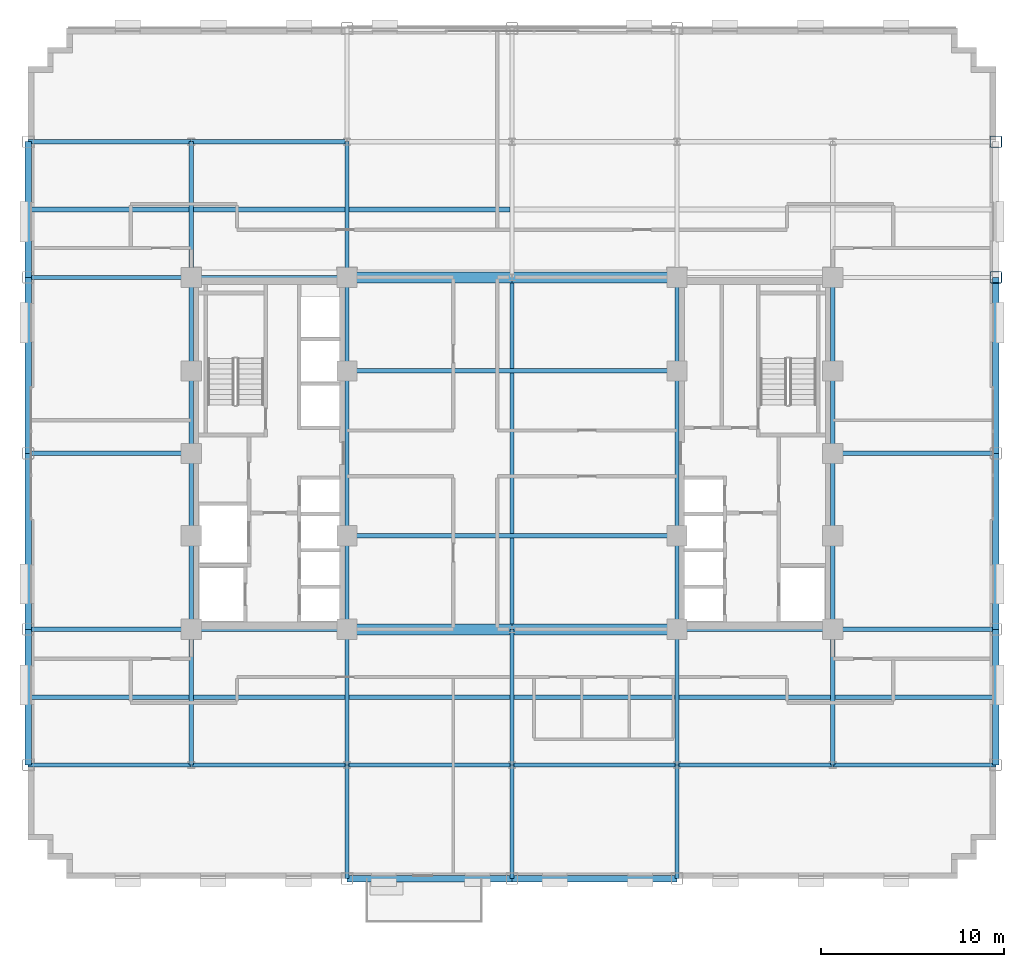
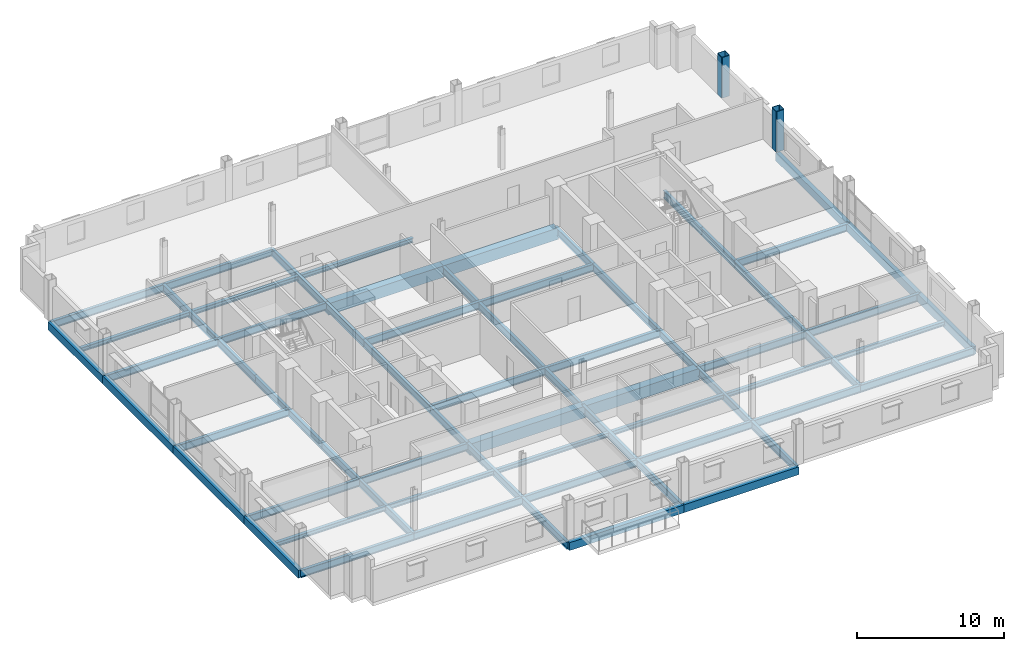
# One storey, part 4 of 17: 65 beams, 2 columns.
"""IFC4 building model written with IfcOpenShell, lengths in metres."""

from ifc_helpers import new_model, si_unit, direction, frame, origin, origin_2d, place, context, subcontext, project, spatial, rectangle, hollow_rectangle, i_section, extrude, material, material_profile, profile_set, type_object, element, save


model = new_model("IFC4")

# Units and contexts
model_context = context("Model", 3, precision=1e-05, world=origin(), true_north=direction((0.0, 1.0)))
body_context = subcontext(model_context, "Body", "Model", "MODEL_VIEW")
ifc_project = project(units=[si_unit("LENGTHUNIT", "METRE"), si_unit("AREAUNIT", "SQUARE_METRE"), si_unit("VOLUMEUNIT", "CUBIC_METRE"), si_unit("PLANEANGLEUNIT", "RADIAN"), si_unit("MASSUNIT", "GRAM", prefix="KILO")], contexts=[model_context])

# Site, building, storey
site_placement = place(None, origin())
site = spatial("IfcSite", under=ifc_project, at=site_placement, CompositionType="ELEMENT")
building_placement = place(site_placement, origin())
building = spatial("IfcBuilding", under=site, at=building_placement, Name="Nuvemarco Arch Tower", CompositionType="ELEMENT")
storey_placement = place(building_placement, frame((0.0, 0.0, 120.199951171875)))
storey = spatial("IfcBuildingStorey", under=building, at=storey_placement, Name="L31", CompositionType="ELEMENT", Elevation=120.199951171875)

# Columns
ifc_material_1 = material(Name="Steel S355", Category="steel")
ifc_material_profile_1 = material_profile(ifc_material_1, hollow_rectangle(XDim=0.64990234375, YDim=0.64990234375, WallThickness=0.0400390625, InnerFilletRadius=0.0400390625, OuterFilletRadius=0.080078125, at=origin_2d()), Name="SHS650x650x40")
ifc_profile_set_1 = profile_set([ifc_material_profile_1], Name="Steel S355")
column_type = type_object("IfcColumnType", Name="COL-EXO-650", PredefinedType="COLUMN", material=ifc_profile_set_1)
for number, where, z_axis, x_axis, name in (
    (1, (26.39990234375, 9.60009765625, 0.0), (0.0, 0.0, 1.0), (1.0, 0.0, 0.0), "L31 column CX_+26.4_+9.6"),
    (2, (26.39990234375, 17.0, 0.0), (0.0, 0.0, 1.0), (1.0, 0.0, 0.0), "L31 column CX_+26.4_+17.0"),
):
    element("IfcColumn", number, at=place(storey_placement, frame(where, z_axis=z_axis, x_axis=x_axis)), inside=storey, type_object=column_type, Name=name, PredefinedType="COLUMN", context=body_context, shape_type="SweptSolid", body=[
        extrude(hollow_rectangle(XDim=0.64990234375, YDim=0.64990234375, WallThickness=0.0400390625, InnerFilletRadius=0.0400390625, OuterFilletRadius=0.080078125, at=origin_2d()), origin(), (0.0, 0.0, 1.0), 3.3701171875),
    ])

# Beams
ifc_material_2 = material(Name="Concrete C60/75", Category="concrete")
ifc_material_profile_2 = material_profile(ifc_material_2, rectangle(XDim=0.60009765625, YDim=0.949951171875, at=origin_2d()), Name="RC-BM-600x950")
ifc_profile_set_2 = profile_set([ifc_material_profile_2], Name="Concrete C60/75")
beam_type_1 = type_object("IfcBeamType", Name="BM-COUP-RC", PredefinedType="LINTEL", material=ifc_profile_set_2)
for number, where, z_axis, x_axis, name in (
    (3, (-9.0, -9.60009765625, -0.7548828125), (1.0, 0.0, 0.0), (0.0, 1.0, 0.0), "L31 structural beam BGEW_L31_0_-9.6_-9.0"),
    (4, (0.0, -9.60009765625, -0.7548828125), (1.0, 0.0, 0.0), (0.0, 1.0, 0.0), "L31 structural beam BGEW_L31_0_-9.6_+0.0"),
    (5, (-9.0, 9.60009765625, -0.7548828125), (1.0, 0.0, 0.0), (0.0, 1.0, 0.0), "L31 structural beam BGEW_L31_0_+9.6_-9.0"),
    (6, (0.0, 9.60009765625, -0.7548828125), (1.0, 0.0, 0.0), (0.0, 1.0, 0.0), "L31 structural beam BGEW_L31_0_+9.6_+0.0"),
):
    element("IfcBeam", number, at=place(storey_placement, frame(where, z_axis=z_axis, x_axis=x_axis)), inside=storey, type_object=beam_type_1, Name=name, PredefinedType="LINTEL", context=body_context, shape_type="SweptSolid", body=[
        extrude(rectangle(XDim=0.60009765625, YDim=0.949951171875, at=origin_2d()), origin(), (0.0, 0.0, 1.0), 9.0),
    ])
ifc_material_profile_3 = material_profile(ifc_material_1, i_section(OverallWidth=0.22998046875, OverallDepth=0.616943359375, WebThickness=0.01318359375, FlangeThickness=0.022216796875, FilletRadius=0.01611328125, at=origin_2d()), Name="W610x140")
ifc_profile_set_3 = profile_set([ifc_material_profile_3], Name="Steel S355")
beam_type_2 = type_object("IfcBeamType", Name="BM-GIRD-610", PredefinedType="BEAM", material=ifc_profile_set_3)
beam_1_placement = place(storey_placement, frame((-17.5, -17.0, -0.58837890625), z_axis=(0.0, 1.0, 0.0), x_axis=(-1.0, 0.0, 0.0)))
element("IfcBeam", 7, at=beam_1_placement, inside=storey, type_object=beam_type_2, Name="L31 structural beam BGNS_L31_0_-17.5_-17.0", PredefinedType="BEAM", context=body_context, shape_type="SweptSolid", body=[
    extrude(i_section(OverallWidth=0.22998046875, OverallDepth=0.616943359375, WebThickness=0.01318359375, FlangeThickness=0.022216796875, FilletRadius=0.01611328125, at=origin_2d()), origin(), (0.0, 0.0, 1.0), 7.39990234375),
])
beam_2_placement = place(storey_placement, frame((-17.5, -9.60009765625, -0.58837890625), z_axis=(0.0, 1.0, 0.0), x_axis=(-1.0, 0.0, 0.0)))
element("IfcBeam", 8, at=beam_2_placement, inside=storey, type_object=beam_type_2, Name="L31 structural beam BGNS_L31_0_-17.5_-9.6", PredefinedType="BEAM", context=body_context, shape_type="SweptSolid", body=[
    extrude(i_section(OverallWidth=0.22998046875, OverallDepth=0.616943359375, WebThickness=0.01318359375, FlangeThickness=0.022216796875, FilletRadius=0.01611328125, at=origin_2d()), origin(), (0.0, 0.0, 1.0), 5.10009765625),
])
for number, where, z_axis, x_axis, name in (
    (9, (-17.5, -4.5, -0.58837890625), (0.0, 1.0, 0.0), (-1.0, 0.0, 0.0), "L31 structural beam BGNS_L31_0_-17.5_-4.5"),
    (10, (-17.5, 0.0, -0.58837890625), (0.0, 1.0, 0.0), (-1.0, 0.0, 0.0), "L31 structural beam BGNS_L31_0_-17.5_+0.0"),
):
    element("IfcBeam", number, at=place(storey_placement, frame(where, z_axis=z_axis, x_axis=x_axis)), inside=storey, type_object=beam_type_2, Name=name, PredefinedType="BEAM", context=body_context, shape_type="SweptSolid", body=[
        extrude(i_section(OverallWidth=0.22998046875, OverallDepth=0.616943359375, WebThickness=0.01318359375, FlangeThickness=0.022216796875, FilletRadius=0.01611328125, at=origin_2d()), origin(), (0.0, 0.0, 1.0), 4.5),
    ])
beam_3_placement = place(storey_placement, frame((-17.5, 4.5, -0.58837890625), z_axis=(0.0, 1.0, 0.0), x_axis=(-1.0, 0.0, 0.0)))
element("IfcBeam", 11, at=beam_3_placement, inside=storey, type_object=beam_type_2, Name="L31 structural beam BGNS_L31_0_-17.5_+4.5", PredefinedType="BEAM", context=body_context, shape_type="SweptSolid", body=[
    extrude(i_section(OverallWidth=0.22998046875, OverallDepth=0.616943359375, WebThickness=0.01318359375, FlangeThickness=0.022216796875, FilletRadius=0.01611328125, at=origin_2d()), origin(), (0.0, 0.0, 1.0), 5.10009765625),
])
beam_4_placement = place(storey_placement, frame((-17.5, 9.60009765625, -0.58837890625), z_axis=(0.0, 1.0, 0.0), x_axis=(-1.0, 0.0, 0.0)))
element("IfcBeam", 12, at=beam_4_placement, inside=storey, type_object=beam_type_2, Name="L31 structural beam BGNS_L31_0_-17.5_+9.6", PredefinedType="BEAM", context=body_context, shape_type="SweptSolid", body=[
    extrude(i_section(OverallWidth=0.22998046875, OverallDepth=0.616943359375, WebThickness=0.01318359375, FlangeThickness=0.022216796875, FilletRadius=0.01611328125, at=origin_2d()), origin(), (0.0, 0.0, 1.0), 7.39990234375),
])
beam_5_placement = place(storey_placement, frame((-9.0, -23.199951171875, -0.58837890625), z_axis=(0.0, 1.0, 0.0), x_axis=(-1.0, 0.0, 0.0)))
element("IfcBeam", 13, at=beam_5_placement, inside=storey, type_object=beam_type_2, Name="L31 structural beam BGNS_L31_0_-9.0_-23.2", PredefinedType="BEAM", context=body_context, shape_type="SweptSolid", body=[
    extrude(i_section(OverallWidth=0.22998046875, OverallDepth=0.616943359375, WebThickness=0.01318359375, FlangeThickness=0.022216796875, FilletRadius=0.01611328125, at=origin_2d()), origin(), (0.0, 0.0, 1.0), 6.199951171875),
])
beam_6_placement = place(storey_placement, frame((-9.0, -17.0, -0.58837890625), z_axis=(0.0, 1.0, 0.0), x_axis=(-1.0, 0.0, 0.0)))
element("IfcBeam", 14, at=beam_6_placement, inside=storey, type_object=beam_type_2, Name="L31 structural beam BGNS_L31_0_-9.0_-17.0", PredefinedType="BEAM", context=body_context, shape_type="SweptSolid", body=[
    extrude(i_section(OverallWidth=0.22998046875, OverallDepth=0.616943359375, WebThickness=0.01318359375, FlangeThickness=0.022216796875, FilletRadius=0.01611328125, at=origin_2d()), origin(), (0.0, 0.0, 1.0), 7.39990234375),
])
beam_7_placement = place(storey_placement, frame((-9.0, -9.60009765625, -0.58837890625), z_axis=(0.0, 1.0, 0.0), x_axis=(-1.0, 0.0, 0.0)))
element("IfcBeam", 15, at=beam_7_placement, inside=storey, type_object=beam_type_2, Name="L31 structural beam BGNS_L31_0_-9.0_-9.6", PredefinedType="BEAM", context=body_context, shape_type="SweptSolid", body=[
    extrude(i_section(OverallWidth=0.22998046875, OverallDepth=0.616943359375, WebThickness=0.01318359375, FlangeThickness=0.022216796875, FilletRadius=0.01611328125, at=origin_2d()), origin(), (0.0, 0.0, 1.0), 5.10009765625),
])
beam_8_placement = place(storey_placement, frame((-9.0, -4.5, -0.58837890625), z_axis=(0.0, 1.0, 0.0), x_axis=(-1.0, 0.0, 0.0)))
element("IfcBeam", 16, at=beam_8_placement, inside=storey, type_object=beam_type_2, Name="L31 structural beam BGNS_L31_0_-9.0_-4.5", PredefinedType="BEAM", context=body_context, shape_type="SweptSolid", body=[
    extrude(i_section(OverallWidth=0.22998046875, OverallDepth=0.616943359375, WebThickness=0.01318359375, FlangeThickness=0.022216796875, FilletRadius=0.01611328125, at=origin_2d()), origin(), (0.0, 0.0, 1.0), 9.0),
])
beam_9_placement = place(storey_placement, frame((-9.0, 4.5, -0.58837890625), z_axis=(0.0, 1.0, 0.0), x_axis=(-1.0, 0.0, 0.0)))
element("IfcBeam", 17, at=beam_9_placement, inside=storey, type_object=beam_type_2, Name="L31 structural beam BGNS_L31_0_-9.0_+4.5", PredefinedType="BEAM", context=body_context, shape_type="SweptSolid", body=[
    extrude(i_section(OverallWidth=0.22998046875, OverallDepth=0.616943359375, WebThickness=0.01318359375, FlangeThickness=0.022216796875, FilletRadius=0.01611328125, at=origin_2d()), origin(), (0.0, 0.0, 1.0), 5.10009765625),
])
beam_10_placement = place(storey_placement, frame((-9.0, 9.60009765625, -0.58837890625), z_axis=(0.0, 1.0, 0.0), x_axis=(-1.0, 0.0, 0.0)))
element("IfcBeam", 18, at=beam_10_placement, inside=storey, type_object=beam_type_2, Name="L31 structural beam BGNS_L31_0_-9.0_+9.6", PredefinedType="BEAM", context=body_context, shape_type="SweptSolid", body=[
    extrude(i_section(OverallWidth=0.22998046875, OverallDepth=0.616943359375, WebThickness=0.01318359375, FlangeThickness=0.022216796875, FilletRadius=0.01611328125, at=origin_2d()), origin(), (0.0, 0.0, 1.0), 7.39990234375),
])
beam_11_placement = place(storey_placement, frame((0.0, -23.199951171875, -0.58837890625), z_axis=(0.0, 1.0, 0.0), x_axis=(-1.0, 0.0, 0.0)))
element("IfcBeam", 19, at=beam_11_placement, inside=storey, type_object=beam_type_2, Name="L31 structural beam BGNS_L31_0_+0.0_-23.2", PredefinedType="BEAM", context=body_context, shape_type="SweptSolid", body=[
    extrude(i_section(OverallWidth=0.22998046875, OverallDepth=0.616943359375, WebThickness=0.01318359375, FlangeThickness=0.022216796875, FilletRadius=0.01611328125, at=origin_2d()), origin(), (0.0, 0.0, 1.0), 6.199951171875),
])
beam_12_placement = place(storey_placement, frame((0.0, -17.0, -0.58837890625), z_axis=(0.0, 1.0, 0.0), x_axis=(-1.0, 0.0, 0.0)))
element("IfcBeam", 20, at=beam_12_placement, inside=storey, type_object=beam_type_2, Name="L31 structural beam BGNS_L31_0_+0.0_-17.0", PredefinedType="BEAM", context=body_context, shape_type="SweptSolid", body=[
    extrude(i_section(OverallWidth=0.22998046875, OverallDepth=0.616943359375, WebThickness=0.01318359375, FlangeThickness=0.022216796875, FilletRadius=0.01611328125, at=origin_2d()), origin(), (0.0, 0.0, 1.0), 7.39990234375),
])
beam_13_placement = place(storey_placement, frame((0.0, -9.60009765625, -0.58837890625), z_axis=(0.0, 1.0, 0.0), x_axis=(-1.0, 0.0, 0.0)))
element("IfcBeam", 21, at=beam_13_placement, inside=storey, type_object=beam_type_2, Name="L31 structural beam BGNS_L31_0_+0.0_-9.6", PredefinedType="BEAM", context=body_context, shape_type="SweptSolid", body=[
    extrude(i_section(OverallWidth=0.22998046875, OverallDepth=0.616943359375, WebThickness=0.01318359375, FlangeThickness=0.022216796875, FilletRadius=0.01611328125, at=origin_2d()), origin(), (0.0, 0.0, 1.0), 19.2001953125),
])
beam_14_placement = place(storey_placement, frame((9.0, -23.199951171875, -0.58837890625), z_axis=(0.0, 1.0, 0.0), x_axis=(-1.0, 0.0, 0.0)))
element("IfcBeam", 22, at=beam_14_placement, inside=storey, type_object=beam_type_2, Name="L31 structural beam BGNS_L31_0_+9.0_-23.2", PredefinedType="BEAM", context=body_context, shape_type="SweptSolid", body=[
    extrude(i_section(OverallWidth=0.22998046875, OverallDepth=0.616943359375, WebThickness=0.01318359375, FlangeThickness=0.022216796875, FilletRadius=0.01611328125, at=origin_2d()), origin(), (0.0, 0.0, 1.0), 6.199951171875),
])
beam_15_placement = place(storey_placement, frame((9.0, -17.0, -0.58837890625), z_axis=(0.0, 1.0, 0.0), x_axis=(-1.0, 0.0, 0.0)))
element("IfcBeam", 23, at=beam_15_placement, inside=storey, type_object=beam_type_2, Name="L31 structural beam BGNS_L31_0_+9.0_-17.0", PredefinedType="BEAM", context=body_context, shape_type="SweptSolid", body=[
    extrude(i_section(OverallWidth=0.22998046875, OverallDepth=0.616943359375, WebThickness=0.01318359375, FlangeThickness=0.022216796875, FilletRadius=0.01611328125, at=origin_2d()), origin(), (0.0, 0.0, 1.0), 7.39990234375),
])
beam_16_placement = place(storey_placement, frame((9.0, -9.60009765625, -0.58837890625), z_axis=(0.0, 1.0, 0.0), x_axis=(-1.0, 0.0, 0.0)))
element("IfcBeam", 24, at=beam_16_placement, inside=storey, type_object=beam_type_2, Name="L31 structural beam BGNS_L31_0_+9.0_-9.6", PredefinedType="BEAM", context=body_context, shape_type="SweptSolid", body=[
    extrude(i_section(OverallWidth=0.22998046875, OverallDepth=0.616943359375, WebThickness=0.01318359375, FlangeThickness=0.022216796875, FilletRadius=0.01611328125, at=origin_2d()), origin(), (0.0, 0.0, 1.0), 5.10009765625),
])
beam_17_placement = place(storey_placement, frame((9.0, -4.5, -0.58837890625), z_axis=(0.0, 1.0, 0.0), x_axis=(-1.0, 0.0, 0.0)))
element("IfcBeam", 25, at=beam_17_placement, inside=storey, type_object=beam_type_2, Name="L31 structural beam BGNS_L31_0_+9.0_-4.5", PredefinedType="BEAM", context=body_context, shape_type="SweptSolid", body=[
    extrude(i_section(OverallWidth=0.22998046875, OverallDepth=0.616943359375, WebThickness=0.01318359375, FlangeThickness=0.022216796875, FilletRadius=0.01611328125, at=origin_2d()), origin(), (0.0, 0.0, 1.0), 9.0),
])
beam_18_placement = place(storey_placement, frame((9.0, 4.5, -0.58837890625), z_axis=(0.0, 1.0, 0.0), x_axis=(-1.0, 0.0, 0.0)))
element("IfcBeam", 26, at=beam_18_placement, inside=storey, type_object=beam_type_2, Name="L31 structural beam BGNS_L31_0_+9.0_+4.5", PredefinedType="BEAM", context=body_context, shape_type="SweptSolid", body=[
    extrude(i_section(OverallWidth=0.22998046875, OverallDepth=0.616943359375, WebThickness=0.01318359375, FlangeThickness=0.022216796875, FilletRadius=0.01611328125, at=origin_2d()), origin(), (0.0, 0.0, 1.0), 5.10009765625),
])
beam_19_placement = place(storey_placement, frame((17.5, -17.0, -0.58837890625), z_axis=(0.0, 1.0, 0.0), x_axis=(-1.0, 0.0, 0.0)))
element("IfcBeam", 27, at=beam_19_placement, inside=storey, type_object=beam_type_2, Name="L31 structural beam BGNS_L31_0_+17.5_-17.0", PredefinedType="BEAM", context=body_context, shape_type="SweptSolid", body=[
    extrude(i_section(OverallWidth=0.22998046875, OverallDepth=0.616943359375, WebThickness=0.01318359375, FlangeThickness=0.022216796875, FilletRadius=0.01611328125, at=origin_2d()), origin(), (0.0, 0.0, 1.0), 7.39990234375),
])
beam_20_placement = place(storey_placement, frame((17.5, -9.60009765625, -0.58837890625), z_axis=(0.0, 1.0, 0.0), x_axis=(-1.0, 0.0, 0.0)))
element("IfcBeam", 28, at=beam_20_placement, inside=storey, type_object=beam_type_2, Name="L31 structural beam BGNS_L31_0_+17.5_-9.6", PredefinedType="BEAM", context=body_context, shape_type="SweptSolid", body=[
    extrude(i_section(OverallWidth=0.22998046875, OverallDepth=0.616943359375, WebThickness=0.01318359375, FlangeThickness=0.022216796875, FilletRadius=0.01611328125, at=origin_2d()), origin(), (0.0, 0.0, 1.0), 5.10009765625),
])
for number, where, z_axis, x_axis, name in (
    (29, (17.5, -4.5, -0.58837890625), (0.0, 1.0, 0.0), (-1.0, 0.0, 0.0), "L31 structural beam BGNS_L31_0_+17.5_-4.5"),
    (30, (17.5, 0.0, -0.58837890625), (0.0, 1.0, 0.0), (-1.0, 0.0, 0.0), "L31 structural beam BGNS_L31_0_+17.5_+0.0"),
):
    element("IfcBeam", number, at=place(storey_placement, frame(where, z_axis=z_axis, x_axis=x_axis)), inside=storey, type_object=beam_type_2, Name=name, PredefinedType="BEAM", context=body_context, shape_type="SweptSolid", body=[
        extrude(i_section(OverallWidth=0.22998046875, OverallDepth=0.616943359375, WebThickness=0.01318359375, FlangeThickness=0.022216796875, FilletRadius=0.01611328125, at=origin_2d()), origin(), (0.0, 0.0, 1.0), 4.5),
    ])
beam_21_placement = place(storey_placement, frame((17.5, 4.5, -0.58837890625), z_axis=(0.0, 1.0, 0.0), x_axis=(-1.0, 0.0, 0.0)))
element("IfcBeam", 31, at=beam_21_placement, inside=storey, type_object=beam_type_2, Name="L31 structural beam BGNS_L31_0_+17.5_+4.5", PredefinedType="BEAM", context=body_context, shape_type="SweptSolid", body=[
    extrude(i_section(OverallWidth=0.22998046875, OverallDepth=0.616943359375, WebThickness=0.01318359375, FlangeThickness=0.022216796875, FilletRadius=0.01611328125, at=origin_2d()), origin(), (0.0, 0.0, 1.0), 5.10009765625),
])
beam_22_placement = place(storey_placement, frame((-26.39990234375, -17.0, -0.58837890625), z_axis=(1.0, 0.0, 0.0), x_axis=(0.0, 1.0, 0.0)))
element("IfcBeam", 32, at=beam_22_placement, inside=storey, type_object=beam_type_2, Name="L31 structural beam BGEW_L31_0_-17.0_-26.4", PredefinedType="BEAM", context=body_context, shape_type="SweptSolid", body=[
    extrude(i_section(OverallWidth=0.22998046875, OverallDepth=0.616943359375, WebThickness=0.01318359375, FlangeThickness=0.022216796875, FilletRadius=0.01611328125, at=origin_2d()), origin(), (0.0, 0.0, 1.0), 8.89990234375),
])
beam_23_placement = place(storey_placement, frame((-17.5, -17.0, -0.58837890625), z_axis=(1.0, 0.0, 0.0), x_axis=(0.0, 1.0, 0.0)))
element("IfcBeam", 33, at=beam_23_placement, inside=storey, type_object=beam_type_2, Name="L31 structural beam BGEW_L31_0_-17.0_-17.5", PredefinedType="BEAM", context=body_context, shape_type="SweptSolid", body=[
    extrude(i_section(OverallWidth=0.22998046875, OverallDepth=0.616943359375, WebThickness=0.01318359375, FlangeThickness=0.022216796875, FilletRadius=0.01611328125, at=origin_2d()), origin(), (0.0, 0.0, 1.0), 8.5),
])
for number, where, z_axis, x_axis, name in (
    (34, (-9.0, -17.0, -0.58837890625), (1.0, 0.0, 0.0), (0.0, 1.0, 0.0), "L31 structural beam BGEW_L31_0_-17.0_-9.0"),
    (35, (0.0, -17.0, -0.58837890625), (1.0, 0.0, 0.0), (0.0, 1.0, 0.0), "L31 structural beam BGEW_L31_0_-17.0_+0.0"),
):
    element("IfcBeam", number, at=place(storey_placement, frame(where, z_axis=z_axis, x_axis=x_axis)), inside=storey, type_object=beam_type_2, Name=name, PredefinedType="BEAM", context=body_context, shape_type="SweptSolid", body=[
        extrude(i_section(OverallWidth=0.22998046875, OverallDepth=0.616943359375, WebThickness=0.01318359375, FlangeThickness=0.022216796875, FilletRadius=0.01611328125, at=origin_2d()), origin(), (0.0, 0.0, 1.0), 9.0),
    ])
beam_24_placement = place(storey_placement, frame((9.0, -17.0, -0.58837890625), z_axis=(1.0, 0.0, 0.0), x_axis=(0.0, 1.0, 0.0)))
element("IfcBeam", 36, at=beam_24_placement, inside=storey, type_object=beam_type_2, Name="L31 structural beam BGEW_L31_0_-17.0_+9.0", PredefinedType="BEAM", context=body_context, shape_type="SweptSolid", body=[
    extrude(i_section(OverallWidth=0.22998046875, OverallDepth=0.616943359375, WebThickness=0.01318359375, FlangeThickness=0.022216796875, FilletRadius=0.01611328125, at=origin_2d()), origin(), (0.0, 0.0, 1.0), 8.5),
])
for number, where, z_axis, x_axis, name in (
    (37, (17.5, -17.0, -0.58837890625), (1.0, 0.0, 0.0), (0.0, 1.0, 0.0), "L31 structural beam BGEW_L31_0_-17.0_+17.5"),
    (38, (-26.39990234375, -9.60009765625, -0.58837890625), (1.0, 0.0, 0.0), (0.0, 1.0, 0.0), "L31 structural beam BGEW_L31_0_-9.6_-26.4"),
):
    element("IfcBeam", number, at=place(storey_placement, frame(where, z_axis=z_axis, x_axis=x_axis)), inside=storey, type_object=beam_type_2, Name=name, PredefinedType="BEAM", context=body_context, shape_type="SweptSolid", body=[
        extrude(i_section(OverallWidth=0.22998046875, OverallDepth=0.616943359375, WebThickness=0.01318359375, FlangeThickness=0.022216796875, FilletRadius=0.01611328125, at=origin_2d()), origin(), (0.0, 0.0, 1.0), 8.89990234375),
    ])
for number, where, z_axis, x_axis, name in (
    (39, (-17.5, -9.60009765625, -0.58837890625), (1.0, 0.0, 0.0), (0.0, 1.0, 0.0), "L31 structural beam BGEW_L31_0_-9.6_-17.5"),
    (40, (9.0, -9.60009765625, -0.58837890625), (1.0, 0.0, 0.0), (0.0, 1.0, 0.0), "L31 structural beam BGEW_L31_0_-9.6_+9.0"),
):
    element("IfcBeam", number, at=place(storey_placement, frame(where, z_axis=z_axis, x_axis=x_axis)), inside=storey, type_object=beam_type_2, Name=name, PredefinedType="BEAM", context=body_context, shape_type="SweptSolid", body=[
        extrude(i_section(OverallWidth=0.22998046875, OverallDepth=0.616943359375, WebThickness=0.01318359375, FlangeThickness=0.022216796875, FilletRadius=0.01611328125, at=origin_2d()), origin(), (0.0, 0.0, 1.0), 8.5),
    ])
beam_25_placement = place(storey_placement, frame((17.5, -9.60009765625, -0.58837890625), z_axis=(1.0, 0.0, 0.0), x_axis=(0.0, 1.0, 0.0)))
element("IfcBeam", 41, at=beam_25_placement, inside=storey, type_object=beam_type_2, Name="L31 structural beam BGEW_L31_0_-9.6_+17.5", PredefinedType="BEAM", context=body_context, shape_type="SweptSolid", body=[
    extrude(i_section(OverallWidth=0.22998046875, OverallDepth=0.616943359375, WebThickness=0.01318359375, FlangeThickness=0.022216796875, FilletRadius=0.01611328125, at=origin_2d()), origin(), (0.0, 0.0, 1.0), 8.89990234375),
])
beam_26_placement = place(storey_placement, frame((-9.0, -4.5, -0.58837890625), z_axis=(1.0, 0.0, 0.0), x_axis=(0.0, 1.0, 0.0)))
element("IfcBeam", 42, at=beam_26_placement, inside=storey, type_object=beam_type_2, Name="L31 structural beam BGEW_L31_0_-4.5_-9.0", PredefinedType="BEAM", context=body_context, shape_type="SweptSolid", body=[
    extrude(i_section(OverallWidth=0.22998046875, OverallDepth=0.616943359375, WebThickness=0.01318359375, FlangeThickness=0.022216796875, FilletRadius=0.01611328125, at=origin_2d()), origin(), (0.0, 0.0, 1.0), 18.0),
])
for number, where, z_axis, x_axis, name in (
    (43, (-26.39990234375, 0.0, -0.58837890625), (1.0, 0.0, 0.0), (0.0, 1.0, 0.0), "L31 structural beam BGEW_L31_0_+0.0_-26.4"),
    (44, (17.5, 0.0, -0.58837890625), (1.0, 0.0, 0.0), (0.0, 1.0, 0.0), "L31 structural beam BGEW_L31_0_+0.0_+17.5"),
):
    element("IfcBeam", number, at=place(storey_placement, frame(where, z_axis=z_axis, x_axis=x_axis)), inside=storey, type_object=beam_type_2, Name=name, PredefinedType="BEAM", context=body_context, shape_type="SweptSolid", body=[
        extrude(i_section(OverallWidth=0.22998046875, OverallDepth=0.616943359375, WebThickness=0.01318359375, FlangeThickness=0.022216796875, FilletRadius=0.01611328125, at=origin_2d()), origin(), (0.0, 0.0, 1.0), 8.89990234375),
    ])
beam_27_placement = place(storey_placement, frame((-9.0, 4.5, -0.58837890625), z_axis=(1.0, 0.0, 0.0), x_axis=(0.0, 1.0, 0.0)))
element("IfcBeam", 45, at=beam_27_placement, inside=storey, type_object=beam_type_2, Name="L31 structural beam BGEW_L31_0_+4.5_-9.0", PredefinedType="BEAM", context=body_context, shape_type="SweptSolid", body=[
    extrude(i_section(OverallWidth=0.22998046875, OverallDepth=0.616943359375, WebThickness=0.01318359375, FlangeThickness=0.022216796875, FilletRadius=0.01611328125, at=origin_2d()), origin(), (0.0, 0.0, 1.0), 18.0),
])
beam_28_placement = place(storey_placement, frame((-26.39990234375, 9.60009765625, -0.58837890625), z_axis=(1.0, 0.0, 0.0), x_axis=(0.0, 1.0, 0.0)))
element("IfcBeam", 46, at=beam_28_placement, inside=storey, type_object=beam_type_2, Name="L31 structural beam BGEW_L31_0_+9.6_-26.4", PredefinedType="BEAM", context=body_context, shape_type="SweptSolid", body=[
    extrude(i_section(OverallWidth=0.22998046875, OverallDepth=0.616943359375, WebThickness=0.01318359375, FlangeThickness=0.022216796875, FilletRadius=0.01611328125, at=origin_2d()), origin(), (0.0, 0.0, 1.0), 8.89990234375),
])
beam_29_placement = place(storey_placement, frame((-17.5, 9.60009765625, -0.58837890625), z_axis=(1.0, 0.0, 0.0), x_axis=(0.0, 1.0, 0.0)))
element("IfcBeam", 47, at=beam_29_placement, inside=storey, type_object=beam_type_2, Name="L31 structural beam BGEW_L31_0_+9.6_-17.5", PredefinedType="BEAM", context=body_context, shape_type="SweptSolid", body=[
    extrude(i_section(OverallWidth=0.22998046875, OverallDepth=0.616943359375, WebThickness=0.01318359375, FlangeThickness=0.022216796875, FilletRadius=0.01611328125, at=origin_2d()), origin(), (0.0, 0.0, 1.0), 8.5),
])
beam_30_placement = place(storey_placement, frame((-26.39990234375, 17.0, -0.58837890625), z_axis=(1.0, 0.0, 0.0), x_axis=(0.0, 1.0, 0.0)))
element("IfcBeam", 48, at=beam_30_placement, inside=storey, type_object=beam_type_2, Name="L31 structural beam BGEW_L31_0_+17.0_-26.4", PredefinedType="BEAM", context=body_context, shape_type="SweptSolid", body=[
    extrude(i_section(OverallWidth=0.22998046875, OverallDepth=0.616943359375, WebThickness=0.01318359375, FlangeThickness=0.022216796875, FilletRadius=0.01611328125, at=origin_2d()), origin(), (0.0, 0.0, 1.0), 8.89990234375),
])
beam_31_placement = place(storey_placement, frame((-17.5, 17.0, -0.58837890625), z_axis=(1.0, 0.0, 0.0), x_axis=(0.0, 1.0, 0.0)))
element("IfcBeam", 49, at=beam_31_placement, inside=storey, type_object=beam_type_2, Name="L31 structural beam BGEW_L31_0_+17.0_-17.5", PredefinedType="BEAM", context=body_context, shape_type="SweptSolid", body=[
    extrude(i_section(OverallWidth=0.22998046875, OverallDepth=0.616943359375, WebThickness=0.01318359375, FlangeThickness=0.022216796875, FilletRadius=0.01611328125, at=origin_2d()), origin(), (0.0, 0.0, 1.0), 8.5),
])
ifc_material_profile_4 = material_profile(ifc_material_1, i_section(OverallWidth=0.2548828125, OverallDepth=0.35693359375, WebThickness=0.010498046875, FlangeThickness=0.018310546875, FilletRadius=0.014892578125, at=origin_2d()), Name="W360x101")
ifc_profile_set_4 = profile_set([ifc_material_profile_4], Name="Steel S355")
beam_type_3 = type_object("IfcBeamType", Name="BM-JOIST-360H", PredefinedType="JOIST", material=ifc_profile_set_4)
beam_32_placement = place(storey_placement, frame((-26.22509765625, -13.300048828125, -0.45849609375), z_axis=(1.0, 0.0, 0.0), x_axis=(0.0, 1.0, 0.0)))
element("IfcBeam", 50, at=beam_32_placement, inside=storey, type_object=beam_type_3, Name="L31 structural beam BJ_L31_0_-13.3_-26.4", PredefinedType="JOIST", context=body_context, shape_type="SweptSolid", body=[
    extrude(i_section(OverallWidth=0.2548828125, OverallDepth=0.35693359375, WebThickness=0.010498046875, FlangeThickness=0.018310546875, FilletRadius=0.014892578125, at=origin_2d()), origin(), (0.0, 0.0, 1.0), 8.610107421875),
])
beam_33_placement = place(storey_placement, frame((-17.385009765625, -13.300048828125, -0.45849609375), z_axis=(1.0, 0.0, 0.0), x_axis=(0.0, 1.0, 0.0)))
element("IfcBeam", 51, at=beam_33_placement, inside=storey, type_object=beam_type_3, Name="L31 structural beam BJ_L31_0_-13.3_-17.5", PredefinedType="JOIST", context=body_context, shape_type="SweptSolid", body=[
    extrude(i_section(OverallWidth=0.2548828125, OverallDepth=0.35693359375, WebThickness=0.010498046875, FlangeThickness=0.018310546875, FilletRadius=0.014892578125, at=origin_2d()), origin(), (0.0, 0.0, 1.0), 8.27001953125),
])
for number, where, z_axis, x_axis, name in (
    (52, (-8.885009765625, -13.300048828125, -0.45849609375), (1.0, 0.0, 0.0), (0.0, 1.0, 0.0), "L31 structural beam BJ_L31_0_-13.3_-9.0"),
    (53, (0.114990234375, -13.300048828125, -0.45849609375), (1.0, 0.0, 0.0), (0.0, 1.0, 0.0), "L31 structural beam BJ_L31_0_-13.3_+0.0"),
):
    element("IfcBeam", number, at=place(storey_placement, frame(where, z_axis=z_axis, x_axis=x_axis)), inside=storey, type_object=beam_type_3, Name=name, PredefinedType="JOIST", context=body_context, shape_type="SweptSolid", body=[
        extrude(i_section(OverallWidth=0.2548828125, OverallDepth=0.35693359375, WebThickness=0.010498046875, FlangeThickness=0.018310546875, FilletRadius=0.014892578125, at=origin_2d()), origin(), (0.0, 0.0, 1.0), 8.77001953125),
    ])
beam_34_placement = place(storey_placement, frame((9.114990234375, -13.300048828125, -0.45849609375), z_axis=(1.0, 0.0, 0.0), x_axis=(0.0, 1.0, 0.0)))
element("IfcBeam", 54, at=beam_34_placement, inside=storey, type_object=beam_type_3, Name="L31 structural beam BJ_L31_0_-13.3_+9.0", PredefinedType="JOIST", context=body_context, shape_type="SweptSolid", body=[
    extrude(i_section(OverallWidth=0.2548828125, OverallDepth=0.35693359375, WebThickness=0.010498046875, FlangeThickness=0.018310546875, FilletRadius=0.014892578125, at=origin_2d()), origin(), (0.0, 0.0, 1.0), 8.27001953125),
])
for number, where, z_axis, x_axis, name in (
    (55, (17.614990234375, -13.300048828125, -0.45849609375), (1.0, 0.0, 0.0), (0.0, 1.0, 0.0), "L31 structural beam BJ_L31_0_-13.3_+17.5"),
    (56, (-26.22509765625, 13.300048828125, -0.45849609375), (1.0, 0.0, 0.0), (0.0, 1.0, 0.0), "L31 structural beam BJ_L31_0_+13.3_-26.4"),
):
    element("IfcBeam", number, at=place(storey_placement, frame(where, z_axis=z_axis, x_axis=x_axis)), inside=storey, type_object=beam_type_3, Name=name, PredefinedType="JOIST", context=body_context, shape_type="SweptSolid", body=[
        extrude(i_section(OverallWidth=0.2548828125, OverallDepth=0.35693359375, WebThickness=0.010498046875, FlangeThickness=0.018310546875, FilletRadius=0.014892578125, at=origin_2d()), origin(), (0.0, 0.0, 1.0), 8.610107421875),
    ])
beam_35_placement = place(storey_placement, frame((-17.385009765625, 13.300048828125, -0.45849609375), z_axis=(1.0, 0.0, 0.0), x_axis=(0.0, 1.0, 0.0)))
element("IfcBeam", 57, at=beam_35_placement, inside=storey, type_object=beam_type_3, Name="L31 structural beam BJ_L31_0_+13.3_-17.5", PredefinedType="JOIST", context=body_context, shape_type="SweptSolid", body=[
    extrude(i_section(OverallWidth=0.2548828125, OverallDepth=0.35693359375, WebThickness=0.010498046875, FlangeThickness=0.018310546875, FilletRadius=0.014892578125, at=origin_2d()), origin(), (0.0, 0.0, 1.0), 8.27001953125),
])
beam_36_placement = place(storey_placement, frame((-8.885009765625, 13.300048828125, -0.45849609375), z_axis=(1.0, 0.0, 0.0), x_axis=(0.0, 1.0, 0.0)))
element("IfcBeam", 58, at=beam_36_placement, inside=storey, type_object=beam_type_3, Name="L31 structural beam BJ_L31_0_+13.3_-9.0", PredefinedType="JOIST", context=body_context, shape_type="SweptSolid", body=[
    extrude(i_section(OverallWidth=0.2548828125, OverallDepth=0.35693359375, WebThickness=0.010498046875, FlangeThickness=0.018310546875, FilletRadius=0.014892578125, at=origin_2d()), origin(), (0.0, 0.0, 1.0), 8.77001953125),
])
ifc_material_3 = material(Name="Precast concrete C45/55", Category="concrete")
ifc_material_profile_5 = material_profile(ifc_material_3, rectangle(XDim=0.35009765625, YDim=0.64990234375, at=origin_2d()), Name="PC-SP-350x650")
ifc_profile_set_5 = profile_set([ifc_material_profile_5], Name="Precast concrete C45/55")
beam_type_4 = type_object("IfcBeamType", Name="BM-SPAN-RC", PredefinedType="SPANDREL", material=ifc_profile_set_5)
beam_37_placement = place(storey_placement, frame((-26.39990234375, -17.0, -0.60498046875), z_axis=(0.0, 1.0, 0.0), x_axis=(-1.0, 0.0, 0.0)))
element("IfcBeam", 59, at=beam_37_placement, inside=storey, type_object=beam_type_4, Name="L31 structural beam BGNS_L31_0_-26.4_-17.0", PredefinedType="SPANDREL", context=body_context, shape_type="SweptSolid", body=[
    extrude(rectangle(XDim=0.35009765625, YDim=0.64990234375, at=origin_2d()), origin(), (0.0, 0.0, 1.0), 7.39990234375),
])
for number, where, z_axis, x_axis, name in (
    (60, (-26.39990234375, -9.60009765625, -0.60498046875), (0.0, 1.0, 0.0), (-1.0, 0.0, 0.0), "L31 structural beam BGNS_L31_0_-26.4_-9.6"),
    (61, (-26.39990234375, 0.0, -0.60498046875), (0.0, 1.0, 0.0), (-1.0, 0.0, 0.0), "L31 structural beam BGNS_L31_0_-26.4_+0.0"),
):
    element("IfcBeam", number, at=place(storey_placement, frame(where, z_axis=z_axis, x_axis=x_axis)), inside=storey, type_object=beam_type_4, Name=name, PredefinedType="SPANDREL", context=body_context, shape_type="SweptSolid", body=[
        extrude(rectangle(XDim=0.35009765625, YDim=0.64990234375, at=origin_2d()), origin(), (0.0, 0.0, 1.0), 9.60009765625),
    ])
for number, where, z_axis, x_axis, name in (
    (62, (-26.39990234375, 9.60009765625, -0.60498046875), (0.0, 1.0, 0.0), (-1.0, 0.0, 0.0), "L31 structural beam BGNS_L31_0_-26.4_+9.6"),
    (63, (26.39990234375, -17.0, -0.60498046875), (0.0, 1.0, 0.0), (-1.0, 0.0, 0.0), "L31 structural beam BGNS_L31_0_+26.4_-17.0"),
):
    element("IfcBeam", number, at=place(storey_placement, frame(where, z_axis=z_axis, x_axis=x_axis)), inside=storey, type_object=beam_type_4, Name=name, PredefinedType="SPANDREL", context=body_context, shape_type="SweptSolid", body=[
        extrude(rectangle(XDim=0.35009765625, YDim=0.64990234375, at=origin_2d()), origin(), (0.0, 0.0, 1.0), 7.39990234375),
    ])
for number, where, z_axis, x_axis, name in (
    (64, (26.39990234375, -9.60009765625, -0.60498046875), (0.0, 1.0, 0.0), (-1.0, 0.0, 0.0), "L31 structural beam BGNS_L31_0_+26.4_-9.6"),
    (65, (26.39990234375, 0.0, -0.60498046875), (0.0, 1.0, 0.0), (-1.0, 0.0, 0.0), "L31 structural beam BGNS_L31_0_+26.4_+0.0"),
):
    element("IfcBeam", number, at=place(storey_placement, frame(where, z_axis=z_axis, x_axis=x_axis)), inside=storey, type_object=beam_type_4, Name=name, PredefinedType="SPANDREL", context=body_context, shape_type="SweptSolid", body=[
        extrude(rectangle(XDim=0.35009765625, YDim=0.64990234375, at=origin_2d()), origin(), (0.0, 0.0, 1.0), 9.60009765625),
    ])
for number, where, z_axis, x_axis, name in (
    (66, (-9.0, -23.199951171875, -0.60498046875), (1.0, 0.0, 0.0), (0.0, 1.0, 0.0), "L31 structural beam BGEW_L31_0_-23.2_-9.0"),
    (67, (0.0, -23.199951171875, -0.60498046875), (1.0, 0.0, 0.0), (0.0, 1.0, 0.0), "L31 structural beam BGEW_L31_0_-23.2_+0.0"),
):
    element("IfcBeam", number, at=place(storey_placement, frame(where, z_axis=z_axis, x_axis=x_axis)), inside=storey, type_object=beam_type_4, Name=name, PredefinedType="SPANDREL", context=body_context, shape_type="SweptSolid", body=[
        extrude(rectangle(XDim=0.35009765625, YDim=0.64990234375, at=origin_2d()), origin(), (0.0, 0.0, 1.0), 9.0),
    ])

save(model, "model.ifc")
